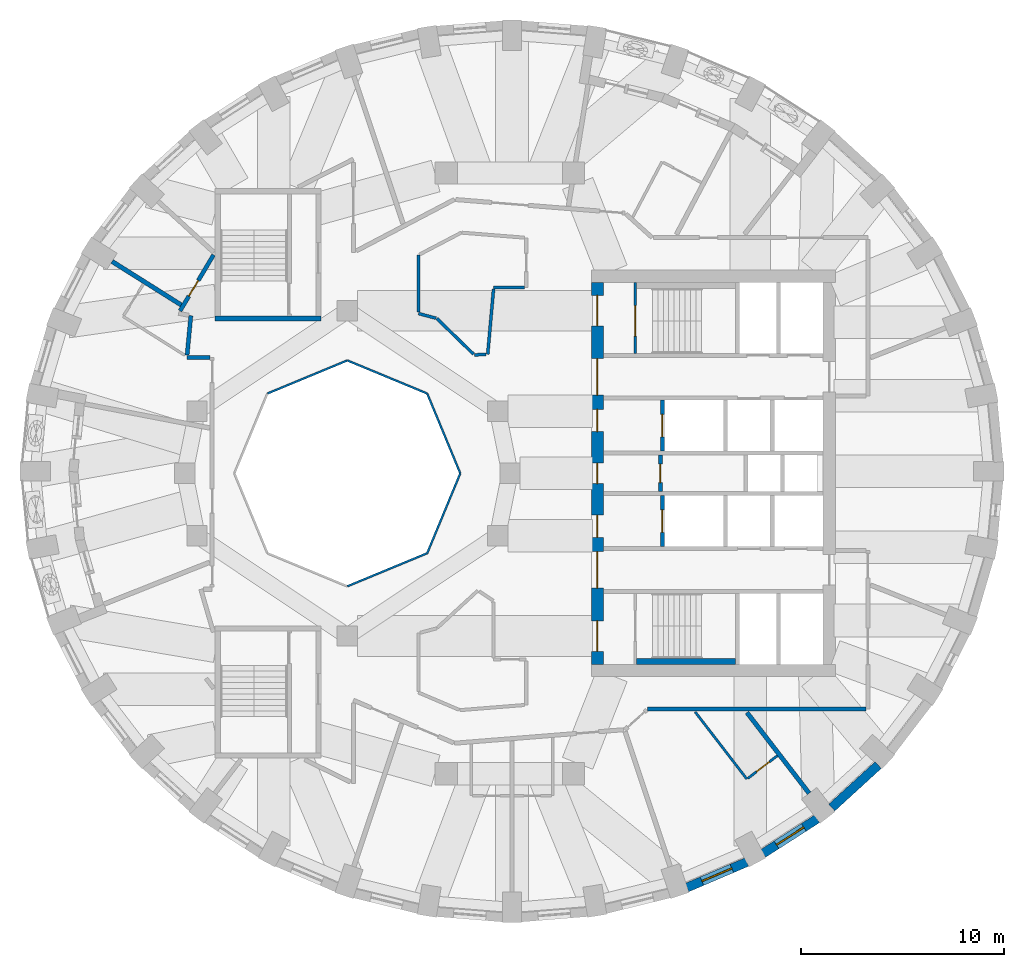
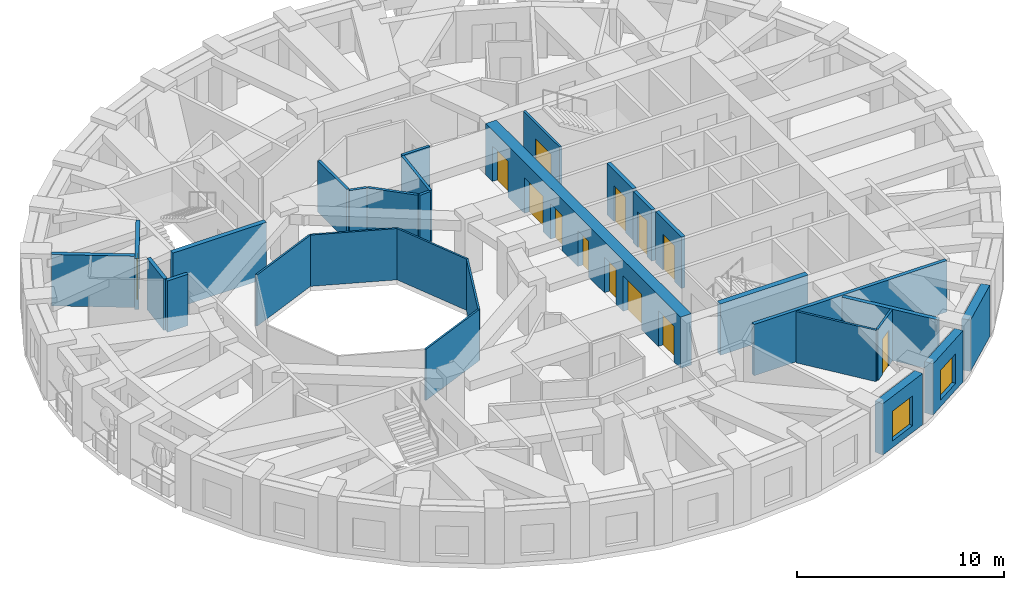
# One storey, part 5 of 12: 29 walls, 13 doors, 2 windows, 15 openings.
"""IFC4 building model written with IfcOpenShell, lengths in metres."""

from ifc_helpers import new_model, si_unit, direction, frame, frame_2d, origin, place, context, subcontext, project, spatial, rectangle, extrude, material, layer, layer_set, type_object, element, fill, save


model = new_model("IFC4")

# Units and contexts
model_context = context("Model", 3, precision=1e-05, world=origin(), true_north=direction((0.0, 1.0)))
body_context = subcontext(model_context, "Body", "Model", "MODEL_VIEW")
ifc_project = project(units=[si_unit("LENGTHUNIT", "METRE"), si_unit("AREAUNIT", "SQUARE_METRE"), si_unit("VOLUMEUNIT", "CUBIC_METRE"), si_unit("PLANEANGLEUNIT", "RADIAN"), si_unit("MASSUNIT", "GRAM", prefix="KILO")], contexts=[model_context])

# Site, building, storey
site_placement = place(None, origin())
site = spatial("IfcSite", under=ifc_project, at=site_placement, CompositionType="ELEMENT")
building_placement = place(site_placement, origin())
building = spatial("IfcBuilding", under=site, at=building_placement, Name="Taillehof Tower", CompositionType="ELEMENT")
storey_placement = place(building_placement, frame((0.0, 0.0, 145.10009765625)))
storey = spatial("IfcBuildingStorey", under=building, at=storey_placement, Name="L40", CompositionType="ELEMENT", Elevation=145.10009765625)

# Walls
ifc_material_1 = material(Name="Fire-resisting glass in steel frame", Category="steel")
ifc_layer_1 = layer(ifc_material_1, 0.10009765625)
ifc_layer_set_1 = layer_set([ifc_layer_1], Name="Atrium fire-resisting screen EI 60 100")
wall_type_1 = type_object("IfcWallType", Name="Atrium fire-resisting screen EI 60 100", PredefinedType="PARTITIONING", material=ifc_layer_set_1)
for number, where, z_axis, x_axis, name in (
    (1, (-2.44580078125, 0.0, 0.0), (0.0, 0.0, 1.0), (-0.382730523909, -0.923860025149, 0.0), "Atrium screen"),
    (2, (-4.07275390625, -3.92724609375, 0.0), (0.0, 0.0, 1.0), (-0.923860025149, -0.382730523909, 0.0), "Atrium screen"),
    (3, (-11.92724609375, 3.92724609375, 0.0), (0.0, 0.0, 1.0), (0.923860025149, 0.382730523909, 0.0), "Atrium screen"),
    (4, (-8.0, 5.55419921875, 0.0), (0.0, 0.0, 1.0), (0.923860025149, -0.382730523909, 0.0), "Atrium screen"),
    (5, (-4.07275390625, 3.92724609375, 0.0), (0.0, 0.0, 1.0), (0.382730523909, -0.923860025149, 0.0), "Atrium screen"),
):
    element("IfcWall", number, at=place(storey_placement, frame(where, z_axis=z_axis, x_axis=x_axis)), inside=storey, type_object=wall_type_1, Name=name, PredefinedType="PARTITIONING", context=body_context, shape_type="SweptSolid", body=[
        extrude(rectangle(XDim=4.2509765625, YDim=0.10009765625, at=frame_2d((2.12548828125, 0.0))), origin(), (0.0, 0.0, 1.0), 3.02001953125),
    ])

# Wall, opening, window
ifc_material_2 = material(Name="Brick masonry", Category="masonry")
ifc_layer_2 = layer(ifc_material_2, 0.449951171875)
ifc_layer_set_2 = layer_set([ifc_layer_2], Name="Brick infill wall 450")
wall_type_2 = type_object("IfcWallType", Name="Brick infill wall 450", PredefinedType="SOLIDWALL", material=ifc_layer_set_2)
wall_1_placement = place(storey_placement, frame((8.706298828125, -20.37451171875, 0.0), z_axis=(0.0, 0.0, 1.0), x_axis=(0.91981046949, 0.392362969986, 0.0)))
wall_1 = element("IfcWall", 6, at=wall_1_placement, inside=storey, type_object=wall_type_2, Name="Brick wall L40 bay 30", PredefinedType="SOLIDWALL", context=body_context, shape_type="SweptSolid", body=[
    extrude(rectangle(XDim=3.20068359375, YDim=0.449951171875, at=frame_2d((1.600341796875, 0.0))), origin(), (0.0, 0.0, 1.0), 3.02001953125),
])
opening_1_placement = place(wall_1_placement, frame((0.80029296875, 0.0, 0.39990234375)))
opening_1 = element("IfcOpeningElement", 7, at=opening_1_placement, cuts=wall_1, Name="Opening W3", PredefinedType="OPENING", context=body_context, shape_type="SweptSolid", body=[
    extrude(rectangle(XDim=1.60009765625, YDim=1.75, at=frame_2d((0.800048828125, 0.875))), frame((0.0, 0.23486328125, 0.0), z_axis=(0.0, -1.0, 0.0), x_axis=(1.0, 0.0, 0.0)), (0.0, 0.0, 1.0), 0.469970703125),
])
ifc_material_3 = material(Name="Aluminium window frame with clear double glazing", Category="aluminium")
window_type = type_object("IfcWindowType", Name="Deep-set window 1600x1750", PartitioningType="SINGLE_PANEL", PredefinedType="WINDOW", material=ifc_material_3)
window_1_placement = place(opening_1_placement, origin())
window_1 = element("IfcWindow", 8, at=window_1_placement, inside=storey, type_object=window_type, Name="W3", OverallHeight=1.75, OverallWidth=1.60009765625, PartitioningType="SINGLE_PANEL", PredefinedType="WINDOW", context=body_context, shape_type="SweptSolid", body=[
    extrude(rectangle(XDim=1.60009765625, YDim=1.75, at=frame_2d((0.800048828125, 0.875))), frame((0.0, 0.034912109375, 0.0), z_axis=(0.0, -1.0, 0.0), x_axis=(1.0, 0.0, 0.0)), (0.0, 0.0, 1.0), 0.06005859375),
])
fill(opening_1, window_1)

wall_2_placement = place(storey_placement, frame((12.454833984375, -18.693115234375, 0.0), z_axis=(0.0, 0.0, 1.0), x_axis=(0.842065914439, 0.539374633943, 0.0)))
wall_2 = element("IfcWall", 9, at=wall_2_placement, inside=storey, type_object=wall_type_2, Name="Brick wall L40 bay 31", PredefinedType="SOLIDWALL", context=body_context, shape_type="SweptSolid", body=[
    extrude(rectangle(XDim=3.1513671875, YDim=0.449951171875, at=frame_2d((1.57568359375, 0.0))), origin(), (0.0, 0.0, 1.0), 3.02001953125),
])
opening_2_placement = place(wall_2_placement, frame((0.775634765625, 0.0, 0.39990234375)))
opening_2 = element("IfcOpeningElement", 10, at=opening_2_placement, cuts=wall_2, Name="Opening W3", PredefinedType="OPENING", context=body_context, shape_type="SweptSolid", body=[
    extrude(rectangle(XDim=1.60009765625, YDim=1.75, at=frame_2d((0.800048828125, 0.875))), frame((0.0, 0.23486328125, 0.0), z_axis=(0.0, -1.0, 0.0), x_axis=(1.0, 0.0, 0.0)), (0.0, 0.0, 1.0), 0.469970703125),
])
window_2_placement = place(opening_2_placement, origin())
window_2 = element("IfcWindow", 11, at=window_2_placement, inside=storey, type_object=window_type, Name="W3", OverallHeight=1.75, OverallWidth=1.60009765625, PartitioningType="SINGLE_PANEL", PredefinedType="WINDOW", context=body_context, shape_type="SweptSolid", body=[
    extrude(rectangle(XDim=1.60009765625, YDim=1.75, at=frame_2d((0.800048828125, 0.875))), frame((0.0, 0.034912109375, 0.0), z_axis=(0.0, -1.0, 0.0), x_axis=(1.0, 0.0, 0.0)), (0.0, 0.0, 1.0), 0.06005859375),
])
fill(opening_2, window_2)

# Wall
wall_3_placement = place(storey_placement, frame((15.830078125, -16.438720703125, 0.0), z_axis=(0.0, 0.0, 1.0), x_axis=(0.737808755941, 0.675009807082, 0.0)))
element("IfcWall", 12, at=wall_3_placement, inside=storey, type_object=wall_type_2, Name="Brick wall L40 bay 32", PredefinedType="SOLIDWALL", context=body_context, shape_type="SweptSolid", body=[
    extrude(rectangle(XDim=3.094482421875, YDim=0.449951171875, at=frame_2d((1.54736328125, 0.0))), origin(), (0.0, 0.0, 1.0), 3.02001953125),
])

# Wall, opening, door
ifc_material_4 = material(Name="Calcium silicate masonry", Category="masonry")
ifc_layer_3 = layer(ifc_material_4, 0.199951171875)
ifc_layer_set_3 = layer_set([ifc_layer_3], Name="Compartment wall calcium silicate 200")
wall_type_3 = type_object("IfcWallType", Name="Compartment wall calcium silicate 200", PredefinedType="PARTITIONING", material=ifc_layer_set_3)
wall_4_placement = place(storey_placement, frame((7.39990234375, -0.89990234375, 0.0), z_axis=(0.0, 0.0, 1.0), x_axis=(0.0, 1.0, 0.0)))
wall_4 = element("IfcWall", 13, at=wall_4_placement, inside=storey, type_object=wall_type_3, Name="Compartment wall FW", PredefinedType="PARTITIONING", context=body_context, shape_type="SweptSolid", body=[
    extrude(rectangle(XDim=1.7998046875, YDim=0.199951171875, at=frame_2d((0.89990234375, 0.0))), origin(), (0.0, 0.0, 1.0), 3.02001953125),
])
opening_3_placement = place(wall_4_placement, frame((0.449951171875, 0.0, 0.0)))
opening_3 = element("IfcOpeningElement", 14, at=opening_3_placement, cuts=wall_4, Name="Opening D4014", PredefinedType="OPENING", context=body_context, shape_type="SweptSolid", body=[
    extrude(rectangle(XDim=0.89990234375, YDim=2.10009765625, at=frame_2d((0.449951171875, 1.050048828125))), frame((0.0, 0.10986328125, 0.0), z_axis=(0.0, -1.0, 0.0), x_axis=(1.0, 0.0, 0.0)), (0.0, 0.0, 1.0), 0.219970703125),
])
ifc_material_5 = material(Name="Steel-faced fire door", Category="steel")
door_type_1 = type_object("IfcDoorType", Name="Riser and service room door 900x2100", OperationType="SINGLE_SWING_LEFT", PredefinedType="DOOR", material=ifc_material_5)
door_1_placement = place(opening_3_placement, origin())
door_1 = element("IfcDoor", 15, at=door_1_placement, inside=storey, type_object=door_type_1, Name="Door Linen Store", OperationType="SINGLE_SWING_RIGHT", OverallHeight=2.10009765625, OverallWidth=0.89990234375, PredefinedType="DOOR", context=body_context, shape_type="SweptSolid", body=[
    extrude(rectangle(XDim=0.89990234375, YDim=2.10009765625, at=frame_2d((0.449951171875, 1.050048828125))), frame((0.0, 0.02490234375, 0.0), z_axis=(0.0, -1.0, 0.0), x_axis=(1.0, 0.0, 0.0)), (0.0, 0.0, 1.0), 0.050048828125),
])
fill(opening_3, door_1)

# Walls
ifc_material_6 = material(Name="Gypsum board on steel studs, two layers each side", Category="steel")
ifc_layer_4 = layer(ifc_material_6, 0.199951171875)
ifc_layer_set_4 = layer_set([ifc_layer_4], Name="Compartment wall corridor 200")
wall_type_4 = type_object("IfcWallType", Name="Compartment wall corridor 200", PredefinedType="PARTITIONING", material=ifc_layer_set_4)
wall_5_placement = place(storey_placement, frame((17.5, -11.60009765625, 0.0), z_axis=(0.0, 0.0, 1.0), x_axis=(-1.0, 0.0, 0.0)))
element("IfcWall", 16, at=wall_5_placement, inside=storey, type_object=wall_type_4, Name="Compartment wall", PredefinedType="PARTITIONING", context=body_context, shape_type="SweptSolid", body=[
    extrude(rectangle(XDim=10.732421875, YDim=0.199951171875, at=frame_2d((5.3662109375, 0.0))), origin(), (0.0, 0.0, 1.0), 3.02001953125),
])
wall_6_placement = place(storey_placement, frame((-14.746826171875, 5.699951171875, 0.0), z_axis=(0.0, 0.0, 1.0), x_axis=(-1.0, 0.0, 0.0)))
element("IfcWall", 17, at=wall_6_placement, inside=storey, type_object=wall_type_4, Name="Compartment wall", PredefinedType="PARTITIONING", context=body_context, shape_type="SweptSolid", body=[
    extrude(rectangle(XDim=1.145263671875, YDim=0.199951171875, at=frame_2d((0.57275390625, 0.0))), origin(), (0.0, 0.0, 1.0), 3.02001953125),
])
wall_7_placement = place(storey_placement, frame((-15.88037109375, 5.820068359375, 0.0), z_axis=(0.0, 0.0, 1.0), x_axis=(0.094892019157, 0.995487571344, 0.0)))
element("IfcWall", 18, at=wall_7_placement, inside=storey, type_object=wall_type_4, Name="Compartment wall", PredefinedType="PARTITIONING", context=body_context, shape_type="SweptSolid", body=[
    extrude(rectangle(XDim=1.945068359375, YDim=0.199951171875, at=frame_2d((0.97265625, 0.0))), origin(), (0.0, 0.0, 1.0), 3.02001953125),
])

# Wall, opening, door
wall_8_placement = place(storey_placement, frame((-16.228271484375, 7.9921875, 0.0), z_axis=(0.0, 0.0, 1.0), x_axis=(0.513936465122, 0.857828251935, 0.0)))
wall_8 = element("IfcWall", 19, at=wall_8_placement, inside=storey, type_object=wall_type_4, Name="Compartment wall", PredefinedType="PARTITIONING", context=body_context, shape_type="SweptSolid", body=[
    extrude(rectangle(XDim=3.210205078125, YDim=0.199951171875, at=frame_2d((1.60498046875, 0.0))), origin(), (0.0, 0.0, 1.0), 3.02001953125),
])
opening_4_placement = place(wall_8_placement, frame((0.84814453125, 0.0, 0.0)))
opening_4 = element("IfcOpeningElement", 20, at=opening_4_placement, cuts=wall_8, Name="Opening D4045", PredefinedType="OPENING", context=body_context, shape_type="SweptSolid", body=[
    extrude(rectangle(XDim=0.89990234375, YDim=2.10009765625, at=frame_2d((0.449951171875, 1.050048828125))), frame((0.0, 0.10986328125, 0.0), z_axis=(0.0, -1.0, 0.0), x_axis=(1.0, 0.0, 0.0)), (0.0, 0.0, 1.0), 0.219970703125),
])
ifc_material_7 = material(Name="Timber door leaf in steel frame", Category="steel")
door_type_2 = type_object("IfcDoorType", Name="Service room door EI 30 900 x 2100", OperationType="SINGLE_SWING_LEFT", PredefinedType="DOOR", material=ifc_material_7)
door_2_placement = place(opening_4_placement, origin())
door_2 = element("IfcDoor", 21, at=door_2_placement, inside=storey, type_object=door_type_2, Name="D4045", OperationType="SINGLE_SWING_LEFT", OverallHeight=2.10009765625, OverallWidth=0.89990234375, PredefinedType="DOOR", context=body_context, shape_type="SweptSolid", body=[
    extrude(rectangle(XDim=0.89990234375, YDim=2.10009765625, at=frame_2d((0.449951171875, 1.050048828125))), frame((0.0, 0.02490234375, 0.0), z_axis=(0.0, -1.0, 0.0), x_axis=(1.0, 0.0, 0.0)), (0.0, 0.0, 1.0), 0.050048828125),
])
fill(opening_4, door_2)

# Walls
ifc_material_8 = material(Name="Gypsum board on double steel studs with mineral wool", Category="steel")
ifc_layer_5 = layer(ifc_material_8, 0.219970703125)
ifc_layer_set_5 = layer_set([ifc_layer_5], Name="Compartment wall guest room 220")
wall_type_5 = type_object("IfcWallType", Name="Compartment wall guest room 220", PredefinedType="PARTITIONING", material=ifc_layer_set_5)
wall_9_placement = place(storey_placement, frame((-19.573486328125, 10.425537109375, 0.0), z_axis=(0.0, 0.0, 1.0), x_axis=(0.846298736827, -0.532708595805, 0.0)))
element("IfcWall", 22, at=wall_9_placement, inside=storey, type_object=wall_type_5, Name="Compartment wall", PredefinedType="PARTITIONING", context=body_context, shape_type="SweptSolid", body=[
    extrude(rectangle(XDim=4.021240234375, YDim=0.219970703125, at=frame_2d((2.0107421875, 0.0))), origin(), (0.0, 0.0, 1.0), 3.02001953125),
])
wall_10_placement = place(storey_placement, frame((14.7158203125, -15.7373046875, 0.0), z_axis=(0.0, 0.0, 1.0), x_axis=(-0.609986007715, 0.792412184657, 0.0)))
element("IfcWall", 23, at=wall_10_placement, inside=storey, type_object=wall_type_5, Name="Compartment wall", PredefinedType="PARTITIONING", context=body_context, shape_type="SweptSolid", body=[
    extrude(rectangle(XDim=5.0146484375, YDim=0.219970703125, at=frame_2d((2.50732421875, 0.0))), origin(), (0.0, 0.0, 1.0), 3.02001953125),
])
ifc_material_9 = material(Name="Calcium silicate masonry", Category="masonry")
ifc_layer_6 = layer(ifc_material_9, 0.300048828125)
ifc_layer_set_6 = layer_set([ifc_layer_6], Name="Compartment wall lining calcium silicate 300")
wall_type_6 = type_object("IfcWallType", Name="Compartment wall lining calcium silicate 300", PredefinedType="PARTITIONING", material=ifc_layer_set_6)
wall_11_placement = place(storey_placement, frame((6.219970703125, -9.25, 0.0), z_axis=(0.0, 0.0, 1.0), x_axis=(1.0, 0.0, 0.0)))
element("IfcWall", 24, at=wall_11_placement, inside=storey, type_object=wall_type_6, Name="Compartment wall FW", PredefinedType="PARTITIONING", context=body_context, shape_type="SweptSolid", body=[
    extrude(rectangle(XDim=4.880126953125, YDim=0.300048828125, at=frame_2d((2.43994140625, 0.0))), origin(), (0.0, 0.0, 1.0), 3.02001953125),
])
ifc_material_10 = material(Name="Gypsum board on steel studs, two layers each side", Category="steel")
ifc_layer_7 = layer(ifc_material_10, 0.14990234375)
ifc_layer_set_7 = layer_set([ifc_layer_7], Name="Compartment wall service room 150")
wall_type_7 = type_object("IfcWallType", Name="Compartment wall service room 150", PredefinedType="PARTITIONING", material=ifc_layer_set_7)
wall_12_placement = place(storey_placement, frame((0.719970703125, 9.14990234375, 0.0), z_axis=(0.0, 0.0, 1.0), x_axis=(-1.0, 0.0, 0.0)))
element("IfcWall", 25, at=wall_12_placement, inside=storey, type_object=wall_type_7, Name="Compartment wall", PredefinedType="PARTITIONING", context=body_context, shape_type="SweptSolid", body=[
    extrude(rectangle(XDim=1.52001953125, YDim=0.14990234375, at=frame_2d((0.760009765625, 0.0))), origin(), (0.0, 0.0, 1.0), 3.02001953125),
])
wall_13_placement = place(storey_placement, frame((-0.806884765625, 9.06982421875, 0.0), z_axis=(0.0, 0.0, 1.0), x_axis=(-0.089184087733, -0.996015159772, 0.0)))
element("IfcWall", 26, at=wall_13_placement, inside=storey, type_object=wall_type_7, Name="Compartment wall", PredefinedType="PARTITIONING", context=body_context, shape_type="SweptSolid", body=[
    extrude(rectangle(XDim=3.224853515625, YDim=0.14990234375, at=frame_2d((1.6123046875, 0.0))), origin(), (0.0, 0.0, 1.0), 3.02001953125),
])
wall_14_placement = place(storey_placement, frame((-1.174560546875, 5.85400390625, 0.0), z_axis=(0.0, 0.0, 1.0), x_axis=(-0.998798267986, -0.049010405705, 0.0)))
element("IfcWall", 27, at=wall_14_placement, inside=storey, type_object=wall_type_7, Name="Compartment wall", PredefinedType="PARTITIONING", context=body_context, shape_type="SweptSolid", body=[
    extrude(rectangle(XDim=0.577880859375, YDim=0.14990234375, at=frame_2d((0.2890625, 0.0))), origin(), (0.0, 0.0, 1.0), 3.02001953125),
])
wall_15_placement = place(storey_placement, frame((-1.794921875, 5.867431640625, 0.0), z_axis=(0.0, 0.0, 1.0), x_axis=(-0.717315398231, 0.696748605639, 0.0)))
element("IfcWall", 28, at=wall_15_placement, inside=storey, type_object=wall_type_7, Name="Compartment wall", PredefinedType="PARTITIONING", context=body_context, shape_type="SweptSolid", body=[
    extrude(rectangle(XDim=2.5166015625, YDim=0.14990234375, at=frame_2d((1.25830078125, 0.0))), origin(), (0.0, 0.0, 1.0), 3.02001953125),
])
wall_16_placement = place(storey_placement, frame((-3.638671875, 7.631103515625, 0.0), z_axis=(0.0, 0.0, 1.0), x_axis=(-0.965879594242, 0.258991523853, 0.0)))
element("IfcWall", 29, at=wall_16_placement, inside=storey, type_object=wall_type_7, Name="Compartment wall", PredefinedType="PARTITIONING", context=body_context, shape_type="SweptSolid", body=[
    extrude(rectangle(XDim=0.891845703125, YDim=0.14990234375, at=frame_2d((0.44580078125, 0.0))), origin(), (0.0, 0.0, 1.0), 3.02001953125),
])
wall_17_placement = place(storey_placement, frame((-4.5, 7.942138671875, 0.0), z_axis=(0.0, 0.0, 1.0), x_axis=(0.0, 1.0, 0.0)))
element("IfcWall", 30, at=wall_17_placement, inside=storey, type_object=wall_type_7, Name="Compartment wall", PredefinedType="PARTITIONING", context=body_context, shape_type="SweptSolid", body=[
    extrude(rectangle(XDim=2.79638671875, YDim=0.14990234375, at=frame_2d((1.398193359375, 0.0))), origin(), (0.0, 0.0, 1.0), 3.02001953125),
])

# Wall, openings, doors
ifc_material_11 = material(Name="Concrete C80/95", Category="concrete")
ifc_layer_8 = layer(ifc_material_11, 0.60009765625)
ifc_layer_set_8 = layer_set([ifc_layer_8], Name="Core wall C80/95 600")
wall_type_8 = type_object("IfcWallType", Name="Core wall C80/95 600", PredefinedType="SHEAR", material=ifc_layer_set_8)
wall_18_placement = place(storey_placement, frame((4.300048828125, -9.39990234375, 0.0), z_axis=(0.0, 0.0, 1.0), x_axis=(0.0, 1.0, 0.0)))
wall_18 = element("IfcWall", 31, at=wall_18_placement, inside=storey, type_object=wall_type_8, Name="Core wall CW01", PredefinedType="SHEAR", context=body_context, shape_type="SweptSolid", body=[
    extrude(rectangle(XDim=18.7998046875, YDim=0.60009765625, at=frame_2d((9.39990234375, 0.0))), origin(), (0.0, 0.0, 1.0), 3.02001953125),
])
opening_5_placement = place(wall_18_placement, frame((0.64990234375, 0.0, 0.0)))
opening_5 = element("IfcOpeningElement", 32, at=opening_5_placement, cuts=wall_18, Name="Opening D4001", PredefinedType="OPENING", context=body_context, shape_type="SweptSolid", body=[
    extrude(rectangle(XDim=1.5, YDim=2.10009765625, at=frame_2d((0.75, 1.050048828125))), frame((0.0, 0.31005859375, 0.0), z_axis=(0.0, -1.0, 0.0), x_axis=(1.0, 0.0, 0.0)), (0.0, 0.0, 1.0), 0.6201171875),
])
opening_6_placement = place(wall_18_placement, frame((3.75, 0.0, 0.0)))
opening_6 = element("IfcOpeningElement", 33, at=opening_6_placement, cuts=wall_18, Name="Opening D4002", PredefinedType="OPENING", context=body_context, shape_type="SweptSolid", body=[
    extrude(rectangle(XDim=1.800048828125, YDim=2.10009765625, at=frame_2d((0.89990234375, 1.050048828125))), frame((0.0, 0.31005859375, 0.0), z_axis=(0.0, -1.0, 0.0), x_axis=(1.0, 0.0, 0.0)), (0.0, 0.0, 1.0), 0.6201171875),
])
opening_7_placement = place(wall_18_placement, frame((6.25, 0.0, 0.0)))
opening_7 = element("IfcOpeningElement", 34, at=opening_7_placement, cuts=wall_18, Name="Opening D4003", PredefinedType="OPENING", context=body_context, shape_type="SweptSolid", body=[
    extrude(rectangle(XDim=1.10009765625, YDim=2.10009765625, at=frame_2d((0.550048828125, 1.050048828125))), frame((0.0, 0.31005859375, 0.0), z_axis=(0.0, -1.0, 0.0), x_axis=(1.0, 0.0, 0.0)), (0.0, 0.0, 1.0), 0.6201171875),
])
opening_8_placement = place(wall_18_placement, frame((8.89990234375, 0.0, 0.0)))
opening_8 = element("IfcOpeningElement", 35, at=opening_8_placement, cuts=wall_18, Name="Opening D4004", PredefinedType="OPENING", context=body_context, shape_type="SweptSolid", body=[
    extrude(rectangle(XDim=1.0, YDim=2.10009765625, at=frame_2d((0.5, 1.050048828125))), frame((0.0, 0.31005859375, 0.0), z_axis=(0.0, -1.0, 0.0), x_axis=(1.0, 0.0, 0.0)), (0.0, 0.0, 1.0), 0.6201171875),
])
opening_9_placement = place(wall_18_placement, frame((11.449951171875, 0.0, 0.0)))
opening_9 = element("IfcOpeningElement", 36, at=opening_9_placement, cuts=wall_18, Name="Opening D4005", PredefinedType="OPENING", context=body_context, shape_type="SweptSolid", body=[
    extrude(rectangle(XDim=1.10009765625, YDim=2.10009765625, at=frame_2d((0.550048828125, 1.050048828125))), frame((0.0, 0.31005859375, 0.0), z_axis=(0.0, -1.0, 0.0), x_axis=(1.0, 0.0, 0.0)), (0.0, 0.0, 1.0), 0.6201171875),
])
opening_10_placement = place(wall_18_placement, frame((13.25, 0.0, 0.0)))
opening_10 = element("IfcOpeningElement", 37, at=opening_10_placement, cuts=wall_18, Name="Opening D4006", PredefinedType="OPENING", context=body_context, shape_type="SweptSolid", body=[
    extrude(rectangle(XDim=1.800048828125, YDim=2.10009765625, at=frame_2d((0.89990234375, 1.050048828125))), frame((0.0, 0.31005859375, 0.0), z_axis=(0.0, -1.0, 0.0), x_axis=(1.0, 0.0, 0.0)), (0.0, 0.0, 1.0), 0.6201171875),
])
opening_11_placement = place(wall_18_placement, frame((16.64990234375, 0.0, 0.0)))
opening_11 = element("IfcOpeningElement", 38, at=opening_11_placement, cuts=wall_18, Name="Opening D4007", PredefinedType="OPENING", context=body_context, shape_type="SweptSolid", body=[
    extrude(rectangle(XDim=1.5, YDim=2.10009765625, at=frame_2d((0.75, 1.050048828125))), frame((0.0, 0.31005859375, 0.0), z_axis=(0.0, -1.0, 0.0), x_axis=(1.0, 0.0, 0.0)), (0.0, 0.0, 1.0), 0.6201171875),
])
ifc_material_12 = material(Name="Steel-faced fire door", Category="steel")
door_type_3 = type_object("IfcDoorType", Name="Firefighting lobby door 1100x2100", OperationType="SINGLE_SWING_RIGHT", PredefinedType="DOOR", material=ifc_material_12)
door_3_placement = place(opening_7_placement, origin())
door_3 = element("IfcDoor", 39, at=door_3_placement, inside=storey, type_object=door_type_3, Name="Firefighting lobby door FFL-S", OperationType="SINGLE_SWING_RIGHT", OverallHeight=2.10009765625, OverallWidth=1.10009765625, PredefinedType="DOOR", context=body_context, shape_type="SweptSolid", body=[
    extrude(rectangle(XDim=1.10009765625, YDim=2.10009765625, at=frame_2d((0.550048828125, 1.050048828125))), frame((0.0, 0.02490234375, 0.0), z_axis=(0.0, -1.0, 0.0), x_axis=(1.0, 0.0, 0.0)), (0.0, 0.0, 1.0), 0.050048828125),
])
fill(opening_7, door_3)
door_4_placement = place(opening_9_placement, origin())
door_4 = element("IfcDoor", 40, at=door_4_placement, inside=storey, type_object=door_type_3, Name="Firefighting lobby door FFL-N", OperationType="SINGLE_SWING_LEFT", OverallHeight=2.10009765625, OverallWidth=1.10009765625, PredefinedType="DOOR", context=body_context, shape_type="SweptSolid", body=[
    extrude(rectangle(XDim=1.10009765625, YDim=2.10009765625, at=frame_2d((0.550048828125, 1.050048828125))), frame((0.0, 0.02490234375, 0.0), z_axis=(0.0, -1.0, 0.0), x_axis=(1.0, 0.0, 0.0)), (0.0, 0.0, 1.0), 0.050048828125),
])
fill(opening_9, door_4)
ifc_material_13 = material(Name="Steel-faced fire door", Category="steel")
door_type_4 = type_object("IfcDoorType", Name="Lift lobby door 1800x2100", OperationType="DOUBLE_DOOR_SINGLE_SWING", PredefinedType="DOOR", material=ifc_material_13)
door_5_placement = place(opening_6_placement, origin())
door_5 = element("IfcDoor", 41, at=door_5_placement, inside=storey, type_object=door_type_4, Name="Lift lobby door LL-S", OperationType="DOUBLE_DOOR_SINGLE_SWING", OverallHeight=2.10009765625, OverallWidth=1.800048828125, PredefinedType="DOOR", context=body_context, shape_type="SweptSolid", body=[
    extrude(rectangle(XDim=1.800048828125, YDim=2.10009765625, at=frame_2d((0.89990234375, 1.050048828125))), frame((0.0, 0.02490234375, 0.0), z_axis=(0.0, -1.0, 0.0), x_axis=(1.0, 0.0, 0.0)), (0.0, 0.0, 1.0), 0.050048828125),
])
fill(opening_6, door_5)
door_6_placement = place(opening_10_placement, origin())
door_6 = element("IfcDoor", 42, at=door_6_placement, inside=storey, type_object=door_type_4, Name="Lift lobby door LL-N", OperationType="DOUBLE_DOOR_SINGLE_SWING", OverallHeight=2.10009765625, OverallWidth=1.800048828125, PredefinedType="DOOR", context=body_context, shape_type="SweptSolid", body=[
    extrude(rectangle(XDim=1.800048828125, YDim=2.10009765625, at=frame_2d((0.89990234375, 1.050048828125))), frame((0.0, 0.02490234375, 0.0), z_axis=(0.0, -1.0, 0.0), x_axis=(1.0, 0.0, 0.0)), (0.0, 0.0, 1.0), 0.050048828125),
])
fill(opening_10, door_6)
ifc_material_14 = material(Name="Steel-faced fire door", Category="steel")
door_type_5 = type_object("IfcDoorType", Name="Service door 1000x2100", OperationType="SINGLE_SWING_RIGHT", PredefinedType="DOOR", material=ifc_material_14)
door_7_placement = place(opening_8_placement, origin())
door_7 = element("IfcDoor", 43, at=door_7_placement, inside=storey, type_object=door_type_5, Name="Service door SV", OperationType="SINGLE_SWING_RIGHT", OverallHeight=2.10009765625, OverallWidth=1.0, PredefinedType="DOOR", context=body_context, shape_type="SweptSolid", body=[
    extrude(rectangle(XDim=1.0, YDim=2.10009765625, at=frame_2d((0.5, 1.050048828125))), frame((0.0, 0.02490234375, 0.0), z_axis=(0.0, -1.0, 0.0), x_axis=(1.0, 0.0, 0.0)), (0.0, 0.0, 1.0), 0.050048828125),
])
fill(opening_8, door_7)
ifc_material_15 = material(Name="Steel-faced fire door", Category="steel")
door_type_6 = type_object("IfcDoorType", Name="Stair door 1500x2100", OperationType="DOUBLE_DOOR_SINGLE_SWING", PredefinedType="DOOR", material=ifc_material_15)
door_8_placement = place(opening_5_placement, origin())
door_8 = element("IfcDoor", 44, at=door_8_placement, inside=storey, type_object=door_type_6, Name="Stair door S2", OperationType="DOUBLE_DOOR_SINGLE_SWING", OverallHeight=2.10009765625, OverallWidth=1.5, PredefinedType="DOOR", context=body_context, shape_type="SweptSolid", body=[
    extrude(rectangle(XDim=1.5, YDim=2.10009765625, at=frame_2d((0.75, 1.050048828125))), frame((0.0, 0.02490234375, 0.0), z_axis=(0.0, -1.0, 0.0), x_axis=(1.0, 0.0, 0.0)), (0.0, 0.0, 1.0), 0.050048828125),
])
fill(opening_5, door_8)
door_9_placement = place(opening_11_placement, origin())
door_9 = element("IfcDoor", 45, at=door_9_placement, inside=storey, type_object=door_type_6, Name="Stair door S1", OperationType="DOUBLE_DOOR_SINGLE_SWING", OverallHeight=2.10009765625, OverallWidth=1.5, PredefinedType="DOOR", context=body_context, shape_type="SweptSolid", body=[
    extrude(rectangle(XDim=1.5, YDim=2.10009765625, at=frame_2d((0.75, 1.050048828125))), frame((0.0, 0.02490234375, 0.0), z_axis=(0.0, -1.0, 0.0), x_axis=(1.0, 0.0, 0.0)), (0.0, 0.0, 1.0), 0.050048828125),
])
fill(opening_11, door_9)

# Wall
ifc_material_16 = material(Name="Gypsum board on steel studs, moisture resistant", Category="steel")
ifc_layer_9 = layer(ifc_material_16, 0.1201171875)
ifc_layer_set_9 = layer_set([ifc_layer_9], Name="En-suite wall 120")
wall_type_9 = type_object("IfcWallType", Name="En-suite wall 120", PredefinedType="PARTITIONING", material=ifc_layer_set_9)
wall_19_placement = place(storey_placement, frame((9.108642578125, -11.73193359375, 0.0), z_axis=(0.0, 0.0, 1.0), x_axis=(0.609996270026, -0.79240428479, 0.0)))
element("IfcWall", 46, at=wall_19_placement, inside=storey, type_object=wall_type_9, Name="En-suite wall", PredefinedType="PARTITIONING", context=body_context, shape_type="SweptSolid", body=[
    extrude(rectangle(XDim=4.17333984375, YDim=0.1201171875, at=frame_2d((2.086669921875, 0.0))), origin(), (0.0, 0.0, 1.0), 3.02001953125),
])

# Wall, opening, door
wall_20_placement = place(storey_placement, frame((11.701904296875, -15.002197265625, 0.0), z_axis=(0.0, 0.0, 1.0), x_axis=(0.792395776304, 0.610007322657, 0.0)))
wall_20 = element("IfcWall", 47, at=wall_20_placement, inside=storey, type_object=wall_type_9, Name="En-suite wall", PredefinedType="PARTITIONING", context=body_context, shape_type="SweptSolid", body=[
    extrude(rectangle(XDim=1.829833984375, YDim=0.1201171875, at=frame_2d((0.9150390625, 0.0))), origin(), (0.0, 0.0, 1.0), 3.02001953125),
])
opening_12_placement = place(wall_20_placement, frame((0.5400390625, 0.0, 0.0)))
opening_12 = element("IfcOpeningElement", 48, at=opening_12_placement, cuts=wall_20, Name="Opening D4056", PredefinedType="OPENING", context=body_context, shape_type="SweptSolid", body=[
    extrude(rectangle(XDim=0.800048828125, YDim=2.10009765625, at=frame_2d((0.39990234375, 1.050048828125))), frame((0.0, 0.070068359375, 0.0), z_axis=(0.0, -1.0, 0.0), x_axis=(1.0, 0.0, 0.0)), (0.0, 0.0, 1.0), 0.14013671875),
])
ifc_material_17 = material(Name="Timber door leaf in steel frame", Category="steel")
door_type_7 = type_object("IfcDoorType", Name="En-suite door 800 x 2100", OperationType="SINGLE_SWING_LEFT", PredefinedType="DOOR", material=ifc_material_17)
door_10_placement = place(opening_12_placement, origin())
door_10 = element("IfcDoor", 49, at=door_10_placement, inside=storey, type_object=door_type_7, Name="D4056", OperationType="SINGLE_SWING_LEFT", OverallHeight=2.10009765625, OverallWidth=0.800048828125, PredefinedType="DOOR", context=body_context, shape_type="SweptSolid", body=[
    extrude(rectangle(XDim=0.800048828125, YDim=2.10009765625, at=frame_2d((0.39990234375, 1.050048828125))), frame((0.0, 0.02490234375, 0.0), z_axis=(0.0, -1.0, 0.0), x_axis=(1.0, 0.0, 0.0)), (0.0, 0.0, 1.0), 0.050048828125),
])
fill(opening_12, door_10)

ifc_material_18 = material(Name="Concrete C50/60", Category="concrete")
ifc_layer_10 = layer(ifc_material_18, 0.199951171875)
ifc_layer_set_10 = layer_set([ifc_layer_10], Name="Shaft wall C50/60 200")
wall_type_10 = type_object("IfcWallType", Name="Shaft wall C50/60 200", PredefinedType="SHEAR", material=ifc_layer_set_10)
wall_21_placement = place(storey_placement, frame((7.5, 1.10009765625, 0.0), z_axis=(0.0, 0.0, 1.0), x_axis=(0.0, 1.0, 0.0)))
wall_21 = element("IfcWall", 50, at=wall_21_placement, inside=storey, type_object=wall_type_10, Name="Shaft wall SW", PredefinedType="SHEAR", context=body_context, shape_type="SweptSolid", body=[
    extrude(rectangle(XDim=2.5, YDim=0.199951171875, at=frame_2d((1.25, 0.0))), origin(), (0.0, 0.0, 1.0), 3.02001953125),
])
opening_13_placement = place(wall_21_placement, frame((0.699951171875, 0.0, 0.0)))
opening_13 = element("IfcOpeningElement", 51, at=opening_13_placement, cuts=wall_21, Name="Opening LD1", PredefinedType="OPENING", context=body_context, shape_type="SweptSolid", body=[
    extrude(rectangle(XDim=1.10009765625, YDim=2.10009765625, at=frame_2d((0.550048828125, 1.050048828125))), frame((0.0, 0.10986328125, 0.0), z_axis=(0.0, -1.0, 0.0), x_axis=(1.0, 0.0, 0.0)), (0.0, 0.0, 1.0), 0.219970703125),
])
ifc_material_19 = material(Name="Stainless steel", Category="steel")
door_type_8 = type_object("IfcDoorType", Name="Lift landing door LD1 1100x2100", OperationType="DOUBLE_DOOR_SLIDING", PredefinedType="DOOR", material=ifc_material_19)
door_11_placement = place(opening_13_placement, origin())
door_11 = element("IfcDoor", 52, at=door_11_placement, inside=storey, type_object=door_type_8, Name="Landing door FF1", OperationType="DOUBLE_DOOR_SLIDING", OverallHeight=2.10009765625, OverallWidth=1.10009765625, PredefinedType="DOOR", context=body_context, shape_type="SweptSolid", body=[
    extrude(rectangle(XDim=1.10009765625, YDim=2.10009765625, at=frame_2d((0.550048828125, 1.050048828125))), frame((0.0, 0.02490234375, 0.0), z_axis=(0.0, -1.0, 0.0), x_axis=(1.0, 0.0, 0.0)), (0.0, 0.0, 1.0), 0.050048828125),
])
fill(opening_13, door_11)

wall_22_placement = place(storey_placement, frame((7.5, -3.60009765625, 0.0), z_axis=(0.0, 0.0, 1.0), x_axis=(0.0, 1.0, 0.0)))
wall_22 = element("IfcWall", 53, at=wall_22_placement, inside=storey, type_object=wall_type_10, Name="Shaft wall SW", PredefinedType="SHEAR", context=body_context, shape_type="SweptSolid", body=[
    extrude(rectangle(XDim=2.5, YDim=0.199951171875, at=frame_2d((1.25, 0.0))), origin(), (0.0, 0.0, 1.0), 3.02001953125),
])
opening_14_placement = place(wall_22_placement, frame((0.699951171875, 0.0, 0.0)))
opening_14 = element("IfcOpeningElement", 54, at=opening_14_placement, cuts=wall_22, Name="Opening LD1", PredefinedType="OPENING", context=body_context, shape_type="SweptSolid", body=[
    extrude(rectangle(XDim=1.10009765625, YDim=2.10009765625, at=frame_2d((0.550048828125, 1.050048828125))), frame((0.0, 0.10986328125, 0.0), z_axis=(0.0, -1.0, 0.0), x_axis=(1.0, 0.0, 0.0)), (0.0, 0.0, 1.0), 0.219970703125),
])
door_12_placement = place(opening_14_placement, origin())
door_12 = element("IfcDoor", 55, at=door_12_placement, inside=storey, type_object=door_type_8, Name="Landing door FF2", OperationType="DOUBLE_DOOR_SLIDING", OverallHeight=2.10009765625, OverallWidth=1.10009765625, PredefinedType="DOOR", context=body_context, shape_type="SweptSolid", body=[
    extrude(rectangle(XDim=1.10009765625, YDim=2.10009765625, at=frame_2d((0.550048828125, 1.050048828125))), frame((0.0, 0.02490234375, 0.0), z_axis=(0.0, -1.0, 0.0), x_axis=(1.0, 0.0, 0.0)), (0.0, 0.0, 1.0), 0.050048828125),
])
fill(opening_14, door_12)

ifc_material_20 = material(Name="Concrete C50/60", Category="concrete")
ifc_layer_11 = layer(ifc_material_20, 0.1201171875)
ifc_layer_set_11 = layer_set([ifc_layer_11], Name="Stair lobby wall C50/60 120")
wall_type_11 = type_object("IfcWallType", Name="Stair lobby wall C50/60 120", PredefinedType="SHEAR", material=ifc_layer_set_11)
wall_23_placement = place(storey_placement, frame((6.159912109375, 5.89990234375, 0.0), z_axis=(0.0, 0.0, 1.0), x_axis=(0.0, 1.0, 0.0)))
wall_23 = element("IfcWall", 56, at=wall_23_placement, inside=storey, type_object=wall_type_11, Name="Compartment wall SW", PredefinedType="SHEAR", context=body_context, shape_type="SweptSolid", body=[
    extrude(rectangle(XDim=3.5, YDim=0.1201171875, at=frame_2d((1.75, 0.0))), origin(), (0.0, 0.0, 1.0), 3.02001953125),
])
opening_15_placement = place(wall_23_placement, frame((0.85009765625, 0.0, 0.0)))
opening_15 = element("IfcOpeningElement", 57, at=opening_15_placement, cuts=wall_23, Name="Opening D4010", PredefinedType="OPENING", context=body_context, shape_type="SweptSolid", body=[
    extrude(rectangle(XDim=1.5, YDim=2.10009765625, at=frame_2d((0.75, 1.050048828125))), frame((0.0, 0.070068359375, 0.0), z_axis=(0.0, -1.0, 0.0), x_axis=(1.0, 0.0, 0.0)), (0.0, 0.0, 1.0), 0.14013671875),
])
door_13_placement = place(opening_15_placement, origin())
door_13 = element("IfcDoor", 58, at=door_13_placement, inside=storey, type_object=door_type_6, Name="Stair lobby door S1", OperationType="DOUBLE_DOOR_SINGLE_SWING", OverallHeight=2.10009765625, OverallWidth=1.5, PredefinedType="DOOR", context=body_context, shape_type="SweptSolid", body=[
    extrude(rectangle(XDim=1.5, YDim=2.10009765625, at=frame_2d((0.75, 1.050048828125))), frame((0.0, 0.02490234375, 0.0), z_axis=(0.0, -1.0, 0.0), x_axis=(1.0, 0.0, 0.0)), (0.0, 0.0, 1.0), 0.050048828125),
])
fill(opening_15, door_13)

# Wall
ifc_material_21 = material(Name="Concrete C50/60", Category="concrete")
ifc_layer_12 = layer(ifc_material_21, 0.25)
ifc_layer_set_12 = layer_set([ifc_layer_12], Name="Stair wall C50/60 250")
wall_type_12 = type_object("IfcWallType", Name="Stair wall C50/60 250", PredefinedType="SHEAR", material=ifc_layer_set_12)
wall_24_placement = place(storey_placement, frame((-14.5, 7.625, -0.280029296875), z_axis=(0.0, 0.0, 1.0), x_axis=(1.0, 0.0, 0.0)))
element("IfcWall", 59, at=wall_24_placement, inside=storey, type_object=wall_type_12, Name="Stair wall SC", PredefinedType="SHEAR", context=body_context, shape_type="SweptSolid", body=[
    extrude(rectangle(XDim=5.199951171875, YDim=0.25, at=frame_2d((2.60009765625, 0.0))), origin(), (0.0, 0.0, 1.0), 3.300048828125),
])

save(model, "model.ifc")
